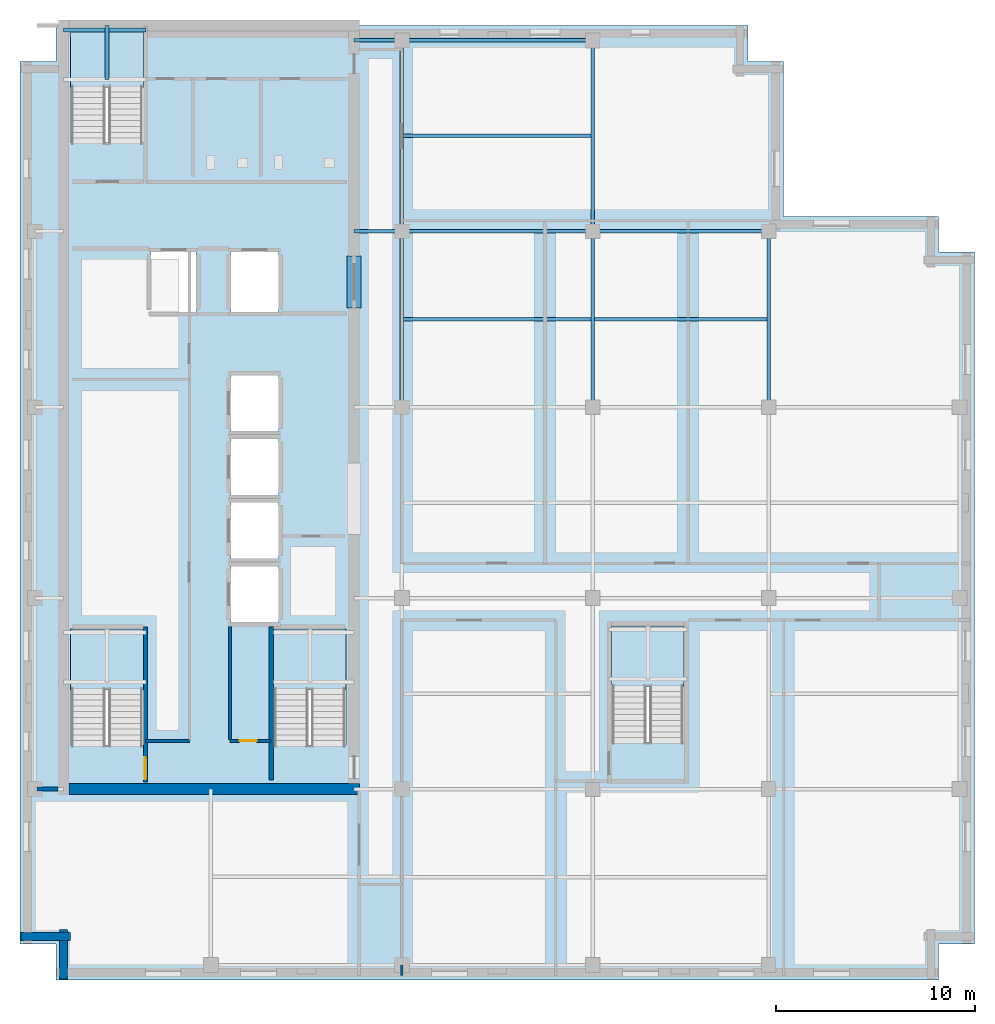
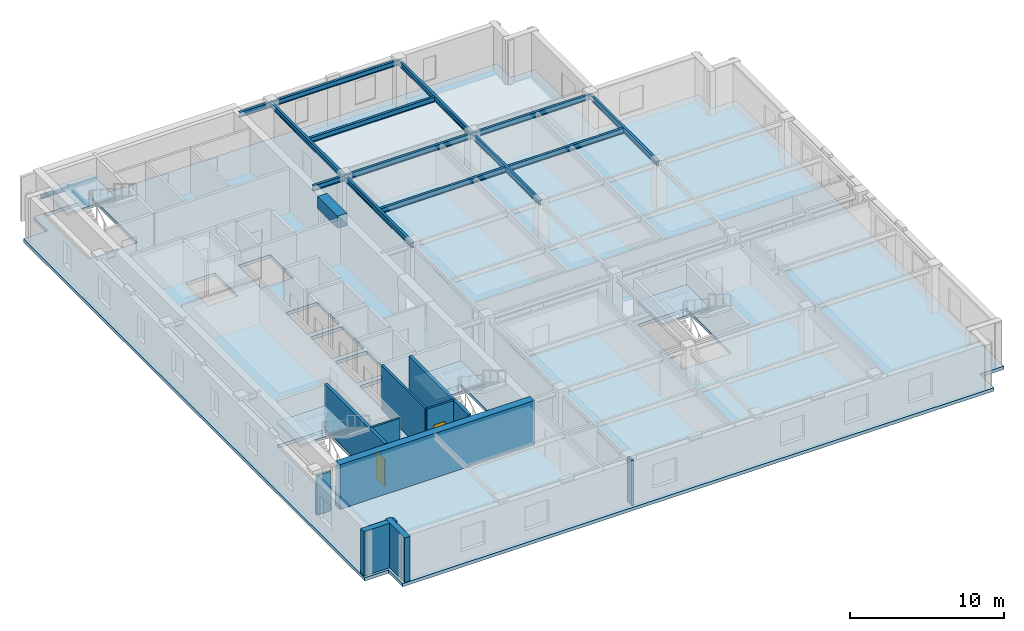
# One storey, part 2 of 10: 16 beams, 10 walls, 5 slabs, 2 doors, 2 openings, 4 elements without a shape of their own.
"""IFC4 building model written with IfcOpenShell, lengths in metres."""

from ifc_helpers import new_model, si_unit, direction, frame, frame_2d, origin, origin_2d, place, context, subcontext, project, spatial, polyline, rectangle, i_section, outline, extrude, material, layer, layer_set, material_profile, profile_set, type_object, element, fill, aggregate, save


model = new_model("IFC4")

# Units and contexts
model_context = context("Model", 3, precision=1e-05, world=origin(), true_north=direction((0.0, 1.0)))
body_context = subcontext(model_context, "Body", "Model", "MODEL_VIEW")
ifc_project = project(units=[si_unit("LENGTHUNIT", "METRE"), si_unit("AREAUNIT", "SQUARE_METRE"), si_unit("VOLUMEUNIT", "CUBIC_METRE"), si_unit("PLANEANGLEUNIT", "RADIAN"), si_unit("MASSUNIT", "GRAM", prefix="KILO")], contexts=[model_context])

# Site, building, storey
site_placement = place(None, origin())
site = spatial("IfcSite", under=ifc_project, at=site_placement, CompositionType="ELEMENT")
building_placement = place(site_placement, origin())
building = spatial("IfcBuilding", under=site, at=building_placement, Name="Norrvale University Quadrangle", CompositionType="ELEMENT")
storey_placement = place(building_placement, frame((0.0, 0.0, 269.60009765625)))
storey = spatial("IfcBuildingStorey", under=building, at=storey_placement, Name="L68", CompositionType="ELEMENT", Elevation=269.60009765625)

# Beams
ifc_material_1 = material(Name="Steel 350W", Category="steel")
ifc_material_profile_1 = material_profile(ifc_material_1, i_section(OverallWidth=0.180908203125, OverallDepth=0.4169921875, WebThickness=0.010986328125, FlangeThickness=0.018310546875, FilletRadius=0.011962890625, at=origin_2d()), Name="Steel 350W")
ifc_profile_set_1 = profile_set([ifc_material_profile_1], Name="Steel 350W")
beam_type_1 = type_object("IfcBeamType", Name="Beam Atrium W410x85", PredefinedType="BEAM", material=ifc_profile_set_1)
beam_1_placement = place(storey_placement, frame((19.199951171875, 37.64990234375, 3.331298828125), z_axis=(1.0, 0.0, 0.0), x_axis=(0.0, 1.0, 0.0)))
element("IfcBeam", 1, at=beam_1_placement, inside=storey, type_object=beam_type_1, Name="Beam Atrium W410x85 BM-L68-GX013", PredefinedType="BEAM", context=body_context, shape_type="SweptSolid", body=[
    extrude(i_section(OverallWidth=0.180908203125, OverallDepth=0.4169921875, WebThickness=0.010986328125, FlangeThickness=0.018310546875, FilletRadius=0.011962890625, at=origin_2d()), origin(), (0.0, 0.0, 1.0), 9.60009765625),
])
beam_2_placement = place(storey_placement, frame((28.800048828125, 37.64990234375, 3.331298828125), z_axis=(1.0, 0.0, 0.0), x_axis=(0.0, 1.0, 0.0)))
element("IfcBeam", 2, at=beam_2_placement, inside=storey, type_object=beam_type_1, Name="Beam Atrium W410x85 BM-L68-GX014", PredefinedType="BEAM", context=body_context, shape_type="SweptSolid", body=[
    extrude(i_section(OverallWidth=0.180908203125, OverallDepth=0.4169921875, WebThickness=0.010986328125, FlangeThickness=0.018310546875, FilletRadius=0.011962890625, at=origin_2d()), origin(), (0.0, 0.0, 1.0), 8.849853515625),
])
beam_3_placement = place(storey_placement, frame((19.199951171875, 47.25, 3.331298828125), z_axis=(1.0, 0.0, 0.0), x_axis=(0.0, 1.0, 0.0)))
element("IfcBeam", 3, at=beam_3_placement, inside=storey, type_object=beam_type_1, Name="Beam Atrium W410x85 BM-L68-GX015", PredefinedType="BEAM", context=body_context, shape_type="SweptSolid", body=[
    extrude(i_section(OverallWidth=0.180908203125, OverallDepth=0.4169921875, WebThickness=0.010986328125, FlangeThickness=0.018310546875, FilletRadius=0.011962890625, at=origin_2d()), origin(), (0.0, 0.0, 1.0), 9.60009765625),
])
beam_4_placement = place(storey_placement, frame((19.199951171875, 28.800048828125, 3.331298828125), z_axis=(0.0, 1.0, 0.0), x_axis=(-1.0, 0.0, 0.0)))
element("IfcBeam", 4, at=beam_4_placement, inside=storey, type_object=beam_type_1, Name="Beam Atrium W410x85 BM-L68-GY022", PredefinedType="BEAM", context=body_context, shape_type="SweptSolid", body=[
    extrude(i_section(OverallWidth=0.180908203125, OverallDepth=0.4169921875, WebThickness=0.010986328125, FlangeThickness=0.018310546875, FilletRadius=0.011962890625, at=origin_2d()), origin(), (0.0, 0.0, 1.0), 8.849853515625),
])
beam_5_placement = place(storey_placement, frame((19.199951171875, 37.64990234375, 3.331298828125), z_axis=(0.0, 1.0, 0.0), x_axis=(-1.0, 0.0, 0.0)))
element("IfcBeam", 5, at=beam_5_placement, inside=storey, type_object=beam_type_1, Name="Beam Atrium W410x85 BM-L68-GY023", PredefinedType="BEAM", context=body_context, shape_type="SweptSolid", body=[
    extrude(i_section(OverallWidth=0.180908203125, OverallDepth=0.4169921875, WebThickness=0.010986328125, FlangeThickness=0.018310546875, FilletRadius=0.011962890625, at=origin_2d()), origin(), (0.0, 0.0, 1.0), 9.60009765625),
])
beam_6_placement = place(storey_placement, frame((28.800048828125, 28.800048828125, 3.331298828125), z_axis=(0.0, 1.0, 0.0), x_axis=(-1.0, 0.0, 0.0)))
element("IfcBeam", 6, at=beam_6_placement, inside=storey, type_object=beam_type_1, Name="Beam Atrium W410x85 BM-L68-GY027", PredefinedType="BEAM", context=body_context, shape_type="SweptSolid", body=[
    extrude(i_section(OverallWidth=0.180908203125, OverallDepth=0.4169921875, WebThickness=0.010986328125, FlangeThickness=0.018310546875, FilletRadius=0.011962890625, at=origin_2d()), origin(), (0.0, 0.0, 1.0), 8.849853515625),
])
beam_7_placement = place(storey_placement, frame((28.800048828125, 37.64990234375, 3.331298828125), z_axis=(0.0, 1.0, 0.0), x_axis=(-1.0, 0.0, 0.0)))
element("IfcBeam", 7, at=beam_7_placement, inside=storey, type_object=beam_type_1, Name="Beam Atrium W410x85 BM-L68-GY028", PredefinedType="BEAM", context=body_context, shape_type="SweptSolid", body=[
    extrude(i_section(OverallWidth=0.180908203125, OverallDepth=0.4169921875, WebThickness=0.010986328125, FlangeThickness=0.018310546875, FilletRadius=0.011962890625, at=origin_2d()), origin(), (0.0, 0.0, 1.0), 9.60009765625),
])
beam_8_placement = place(storey_placement, frame((37.64990234375, 28.800048828125, 3.331298828125), z_axis=(0.0, 1.0, 0.0), x_axis=(-1.0, 0.0, 0.0)))
element("IfcBeam", 8, at=beam_8_placement, inside=storey, type_object=beam_type_1, Name="Beam Atrium W410x85 BM-L68-GY032", PredefinedType="BEAM", context=body_context, shape_type="SweptSolid", body=[
    extrude(i_section(OverallWidth=0.180908203125, OverallDepth=0.4169921875, WebThickness=0.010986328125, FlangeThickness=0.018310546875, FilletRadius=0.011962890625, at=origin_2d()), origin(), (0.0, 0.0, 1.0), 8.849853515625),
])
for number, where, z_axis, x_axis, name in (
    (9, (16.800048828125, 37.64990234375, 3.331298828125), (1.0, 0.0, 0.0), (0.0, 1.0, 0.0), "Beam Atrium W410x85 BM-L68-GCE042"),
    (10, (16.800048828125, 47.25, 3.331298828125), (1.0, 0.0, 0.0), (0.0, 1.0, 0.0), "Beam Atrium W410x85 BM-L68-GCE043"),
):
    element("IfcBeam", number, at=place(storey_placement, frame(where, z_axis=z_axis, x_axis=x_axis)), inside=storey, type_object=beam_type_1, Name=name, PredefinedType="BEAM", context=body_context, shape_type="SweptSolid", body=[
        extrude(i_section(OverallWidth=0.180908203125, OverallDepth=0.4169921875, WebThickness=0.010986328125, FlangeThickness=0.018310546875, FilletRadius=0.011962890625, at=origin_2d()), origin(), (0.0, 0.0, 1.0), 2.39990234375),
    ])
ifc_material_2 = material(Name="Concrete C80/95", Category="concrete")
ifc_material_profile_2 = material_profile(ifc_material_2, rectangle(XDim=0.699951171875, YDim=0.949951171875, at=origin_2d()), Name="Concrete C80/95")
ifc_profile_set_2 = profile_set([ifc_material_profile_2], Name="Concrete C80/95")
beam_type_2 = type_object("IfcBeamType", Name="Beam Core Link 700x950", PredefinedType="LINTEL", material=ifc_profile_set_2)
beam_9_placement = place(storey_placement, frame((16.800048828125, 33.800048828125, 3.06494140625), z_axis=(0.0, 1.0, 0.0), x_axis=(-1.0, 0.0, 0.0)))
element("IfcBeam", 11, at=beam_9_placement, inside=storey, type_object=beam_type_2, Name="Core Coupling Lintel Beam L68-2", PredefinedType="LINTEL", context=body_context, shape_type="SweptSolid", body=[
    extrude(rectangle(XDim=0.699951171875, YDim=0.949951171875, at=origin_2d()), origin(), (0.0, 0.0, 1.0), 2.599853515625),
])
ifc_material_profile_3 = material_profile(ifc_material_1, i_section(OverallWidth=0.177978515625, OverallDepth=0.406982421875, WebThickness=0.0078125, FlangeThickness=0.0126953125, FilletRadius=0.011962890625, at=origin_2d()), Name="Steel 350W")
ifc_profile_set_3 = profile_set([ifc_material_profile_3], Name="Steel 350W")
beam_type_3 = type_object("IfcBeamType", Name="Beam Roof Purlin W410x60", PredefinedType="USERDEFINED", material=ifc_profile_set_3)
for number, where, z_axis, x_axis, name in (
    (12, (19.29052734375, 33.22509765625, 3.33642578125), (1.0, 0.0, 0.0), (0.0, 1.0, 0.0), "Beam Roof Purlin W410x60 BM-L68-J047"),
    (13, (19.29052734375, 42.449951171875, 3.33642578125), (1.0, 0.0, 0.0), (0.0, 1.0, 0.0), "Beam Roof Purlin W410x60 BM-L68-J048"),
):
    element("IfcBeam", number, at=place(storey_placement, frame(where, z_axis=z_axis, x_axis=x_axis)), inside=storey, type_object=beam_type_3, Name=name, ObjectType="PURLIN", PredefinedType="USERDEFINED", context=body_context, shape_type="SweptSolid", body=[
        extrude(i_section(OverallWidth=0.177978515625, OverallDepth=0.406982421875, WebThickness=0.0078125, FlangeThickness=0.0126953125, FilletRadius=0.011962890625, at=origin_2d()), origin(), (0.0, 0.0, 1.0), 9.4189453125),
    ])
beam_10_placement = place(storey_placement, frame((28.890380859375, 33.22509765625, 3.33642578125), z_axis=(1.0, 0.0, 0.0), x_axis=(0.0, 1.0, 0.0)))
element("IfcBeam", 14, at=beam_10_placement, inside=storey, type_object=beam_type_3, Name="Beam Roof Purlin W410x60 BM-L68-J051", ObjectType="PURLIN", PredefinedType="USERDEFINED", context=body_context, shape_type="SweptSolid", body=[
    extrude(i_section(OverallWidth=0.177978515625, OverallDepth=0.406982421875, WebThickness=0.0078125, FlangeThickness=0.0126953125, FilletRadius=0.011962890625, at=origin_2d()), origin(), (0.0, 0.0, 1.0), 8.669189453125),
])
ifc_material_profile_4 = material_profile(ifc_material_1, i_section(OverallWidth=0.201904296875, OverallDepth=0.2470703125, WebThickness=0.00732421875, FlangeThickness=0.010986328125, FilletRadius=0.011962890625, at=origin_2d()), Name="Steel 350W")
ifc_profile_set_4 = profile_set([ifc_material_profile_4], Name="Steel 350W")
beam_type_4 = type_object("IfcBeamType", Name="Beam Stair W250x49", PredefinedType="BEAM", material=ifc_profile_set_4)
beam_11_placement = place(storey_placement, frame((2.199951171875, 47.77001953125, 1.576416015625), z_axis=(1.0, 0.0, 0.0), x_axis=(0.0, 1.0, 0.0)))
element("IfcBeam", 15, at=beam_11_placement, inside=storey, type_object=beam_type_4, Name="Stair Mid-Landing Rear Beam ST-02 L68", PredefinedType="BEAM", context=body_context, shape_type="SweptSolid", body=[
    extrude(i_section(OverallWidth=0.201904296875, OverallDepth=0.2470703125, WebThickness=0.00732421875, FlangeThickness=0.010986328125, FilletRadius=0.011962890625, at=origin_2d()), origin(), (0.0, 0.0, 1.0), 4.14013671875),
])
ifc_material_profile_5 = material_profile(ifc_material_1, i_section(OverallWidth=0.202880859375, OverallDepth=0.202880859375, WebThickness=0.007080078125, FlangeThickness=0.010986328125, FilletRadius=0.010009765625, at=origin_2d()), Name="Steel 350W")
ifc_profile_set_5 = profile_set([ifc_material_profile_5], Name="Steel 350W")
beam_type_5 = type_object("IfcBeamType", Name="Beam Trim W200x46", PredefinedType="BEAM", material=ifc_profile_set_5)
beam_12_placement = place(storey_placement, frame((4.375, 45.2900390625, 1.598388671875), z_axis=(0.0, 1.0, 0.0), x_axis=(-1.0, 0.0, 0.0)))
element("IfcBeam", 16, at=beam_12_placement, inside=storey, type_object=beam_type_5, Name="Stair Mid-Landing Cross Beam ST-02 L68", PredefinedType="BEAM", context=body_context, shape_type="SweptSolid", body=[
    extrude(i_section(OverallWidth=0.202880859375, OverallDepth=0.202880859375, WebThickness=0.007080078125, FlangeThickness=0.010986328125, FilletRadius=0.010009765625, at=origin_2d()), origin(), (0.0, 0.0, 1.0), 2.7099609375),
])

# Stair, slab
ifc_material_3 = material(Name="Concrete C40/50", Category="concrete")
stair_type = type_object("IfcStairType", Name="Stair Tower Typ 3800", PredefinedType="TWO_STRAIGHT_RUN_STAIR", material=ifc_material_3)
stair_1_placement = place(storey_placement, origin())
stair_1 = element("IfcStair", 17, at=stair_1_placement, inside=storey, type_object=stair_type, Name="Exit Stair ST-01 L68", PredefinedType="TWO_STRAIGHT_RUN_STAIR")
ifc_layer_1 = layer(ifc_material_3, 0.199951171875, Name="Concrete C40/50")
ifc_layer_set_1 = layer_set([ifc_layer_1], Name="Concrete C40/50")
slab_type_1 = type_object("IfcSlabType", Name="Slab Landing 200", PredefinedType="LANDING", material=ifc_layer_set_1)
slab_1_placement = place(storey_placement, frame((0.0, 0.0, 1.699951171875)))
slab_1 = element("IfcSlab", 18, at=slab_1_placement, type_object=slab_type_1, Name="Exit Stair ST-01 L68 Mid Landing", PredefinedType="LANDING", context=body_context, shape_type="SweptSolid", body=[
    extrude(outline(polyline([(2.550048828125, 14.590087890625), (6.199951171875, 14.590087890625), (6.199951171875, 17.64990234375), (2.550048828125, 17.64990234375), (2.550048828125, 14.590087890625)])), origin(), (0.0, 0.0, 1.0), 0.199951171875),
])
aggregate(stair_1, [slab_1])

stair_2_placement = place(storey_placement, origin())
stair_2 = element("IfcStair", 19, at=stair_2_placement, inside=storey, type_object=stair_type, Name="Exit Stair ST-02 L68", PredefinedType="TWO_STRAIGHT_RUN_STAIR")
slab_2_placement = place(storey_placement, frame((0.0, 0.0, 1.699951171875)))
slab_2 = element("IfcSlab", 20, at=slab_2_placement, type_object=slab_type_1, Name="Exit Stair ST-02 L68 Mid Landing", PredefinedType="LANDING", context=body_context, shape_type="SweptSolid", body=[
    extrude(outline(polyline([(2.550048828125, 44.889892578125), (6.199951171875, 44.889892578125), (6.199951171875, 47.949951171875), (2.550048828125, 47.949951171875), (2.550048828125, 44.889892578125)])), origin(), (0.0, 0.0, 1.0), 0.199951171875),
])
aggregate(stair_2, [slab_2])

stair_3_placement = place(storey_placement, origin())
stair_3 = element("IfcStair", 21, at=stair_3_placement, inside=storey, type_object=stair_type, Name="Exit Stair ST-03 L68", PredefinedType="TWO_STRAIGHT_RUN_STAIR")
slab_3_placement = place(storey_placement, frame((0.0, 0.0, 1.699951171875)))
slab_3 = element("IfcSlab", 22, at=slab_3_placement, type_object=slab_type_1, Name="Exit Stair ST-03 L68 Mid Landing", PredefinedType="LANDING", context=body_context, shape_type="SweptSolid", body=[
    extrude(outline(polyline([(12.75, 14.590087890625), (16.39990234375, 14.590087890625), (16.39990234375, 17.64990234375), (12.75, 17.64990234375), (12.75, 14.590087890625)])), origin(), (0.0, 0.0, 1.0), 0.199951171875),
])
aggregate(stair_3, [slab_3])

stair_4_placement = place(storey_placement, origin())
stair_4 = element("IfcStair", 23, at=stair_4_placement, inside=storey, type_object=stair_type, Name="Exit Stair ST-04 L68", PredefinedType="TWO_STRAIGHT_RUN_STAIR")
slab_4_placement = place(storey_placement, frame((0.0, 0.0, 1.699951171875)))
slab_4 = element("IfcSlab", 24, at=slab_4_placement, type_object=slab_type_1, Name="Exit Stair ST-04 L68 Mid Landing", PredefinedType="LANDING", context=body_context, shape_type="SweptSolid", body=[
    extrude(outline(polyline([(29.75, 14.739990234375), (33.39990234375, 14.739990234375), (33.39990234375, 17.800048828125), (29.75, 17.800048828125), (29.75, 14.739990234375)])), origin(), (0.0, 0.0, 1.0), 0.199951171875),
])
aggregate(stair_4, [slab_4])

# Slab
ifc_layer_2 = layer(ifc_material_3, 0.260009765625, Name="Concrete C40/50")
ifc_layer_set_2 = layer_set([ifc_layer_2], Name="Concrete C40/50")
slab_type_2 = type_object("IfcSlabType", Name="Slab Tower Typ 260", PredefinedType="FLOOR", material=ifc_layer_set_2)
slab_5_placement = place(storey_placement, frame((0.0, 0.0, -0.260009765625)))
element("IfcSlab", 25, at=slab_5_placement, inside=storey, type_object=slab_type_2, Name="Tower L68 Floor Slab", PredefinedType="FLOOR", context=body_context, shape_type="SweptSolid", body=[
    extrude(outline(polyline([(1.800048828125, 0.0), (46.199951171875, 0.0), (46.199951171875, 1.800048828125), (48.0, 1.800048828125), (48.0, 36.60009765625), (46.199951171875, 36.60009765625), (46.199951171875, 38.39990234375), (38.39990234375, 38.39990234375), (38.39990234375, 46.199951171875), (36.60009765625, 46.199951171875), (36.60009765625, 48.0), (1.800048828125, 48.0), (1.800048828125, 46.199951171875), (0.0, 46.199951171875), (0.0, 1.800048828125), (1.800048828125, 1.800048828125), (1.800048828125, 0.0)]), holes=[polyline([(2.550048828125, 11.81005859375), (6.199951171875, 11.81005859375), (6.199951171875, 17.64990234375), (2.550048828125, 17.64990234375), (2.550048828125, 11.81005859375)]), polyline([(2.550048828125, 42.110107421875), (6.199951171875, 42.110107421875), (6.199951171875, 47.949951171875), (2.550048828125, 47.949951171875), (2.550048828125, 42.110107421875)]), polyline([(12.75, 11.81005859375), (16.39990234375, 11.81005859375), (16.39990234375, 17.64990234375), (12.75, 17.64990234375), (12.75, 11.81005859375)]), polyline([(29.75, 11.9599609375), (33.39990234375, 11.9599609375), (33.39990234375, 17.800048828125), (29.75, 17.800048828125), (29.75, 11.9599609375)]), polyline([(10.60009765625, 18.0), (13.0, 18.0), (13.0, 20.800048828125), (10.60009765625, 20.800048828125), (10.60009765625, 18.0)]), polyline([(10.60009765625, 21.199951171875), (13.0, 21.199951171875), (13.0, 24.0), (10.60009765625, 24.0), (10.60009765625, 21.199951171875)]), polyline([(10.60009765625, 24.39990234375), (13.0, 24.39990234375), (13.0, 27.199951171875), (10.60009765625, 27.199951171875), (10.60009765625, 24.39990234375)]), polyline([(10.60009765625, 27.60009765625), (13.0, 27.60009765625), (13.0, 30.39990234375), (10.60009765625, 30.39990234375), (10.60009765625, 27.60009765625)]), polyline([(6.60009765625, 33.60009765625), (8.85009765625, 33.60009765625), (8.85009765625, 36.60009765625), (6.60009765625, 36.60009765625), (6.60009765625, 33.60009765625)]), polyline([(10.60009765625, 33.60009765625), (13.0, 33.60009765625), (13.0, 36.60009765625), (10.60009765625, 36.60009765625), (10.60009765625, 33.60009765625)])]), origin(), (0.0, 0.0, 1.0), 0.260009765625),
])

# Walls
ifc_material_4 = material(Name="Buff Norman Clay Brick Masonry", Category="masonry")
ifc_layer_3 = layer(ifc_material_4, 0.419921875, Name="Buff Norman Clay Brick Masonry")
ifc_layer_set_3 = layer_set([ifc_layer_3], Name="Buff Norman Clay Brick Masonry")
wall_type_1 = type_object("IfcWallType", Name="Wall Buff Brick 420", PredefinedType="SOLIDWALL", material=ifc_layer_set_3)
for number, where, z_axis, x_axis, name in (
    (26, (0.0400390625, 2.18994140625, 0.0), (0.0, 0.0, 1.0), (1.0, 0.0, 0.0), "Exterior Brick Facade Wall L68-15.1"),
    (27, (2.18994140625, 2.5400390625, 0.0), (0.0, 0.0, 1.0), (0.0, -1.0, 0.0), "Exterior Brick Facade Wall L68-16.1"),
):
    element("IfcWall", number, at=place(storey_placement, frame(where, z_axis=z_axis, x_axis=x_axis)), inside=storey, type_object=wall_type_1, Name=name, PredefinedType="SOLIDWALL", context=body_context, shape_type="SweptSolid", body=[
        extrude(rectangle(XDim=2.5, YDim=0.419921875, at=frame_2d((1.25, 0.0))), origin(), (0.0, 0.0, 1.0), 3.539794921875),
    ])
ifc_material_5 = material(Name="Concrete C60/75", Category="concrete")
ifc_layer_4 = layer(ifc_material_5, 0.550048828125, Name="Concrete C60/75")
ifc_layer_set_4 = layer_set([ifc_layer_4], Name="Concrete C60/75")
wall_type_2 = type_object("IfcWallType", Name="Wall Core 550", PredefinedType="SHEAR", material=ifc_layer_set_4)
wall_1_placement = place(storey_placement, frame((2.47509765625, 9.60009765625, 0.0), z_axis=(0.0, 0.0, 1.0), x_axis=(1.0, 0.0, 0.0)))
element("IfcWall", 28, at=wall_1_placement, inside=storey, type_object=wall_type_2, Name="Tower Core Shear Wall L68-S", PredefinedType="SHEAR", context=body_context, shape_type="SweptSolid", body=[
    extrude(rectangle(XDim=14.599853515625, YDim=0.550048828125, at=frame_2d((7.2998046875, 0.0))), origin(), (0.0, 0.0, 1.0), 3.539794921875),
])
ifc_material_6 = material(Name="Standard Academic Gypsum Partition")
ifc_layer_5 = layer(ifc_material_6, 0.125, Name="Standard Academic Gypsum Partition")
ifc_layer_set_5 = layer_set([ifc_layer_5], Name="Standard Academic Gypsum Partition")
wall_type_3 = type_object("IfcWallType", Name="Wall Gypsum Academic 125", PredefinedType="PARTITIONING", material=ifc_layer_set_5)
wall_2_placement = place(storey_placement, frame((19.199951171875, 0.219970703125, 0.0), z_axis=(0.0, 0.0, 1.0), x_axis=(0.0, 1.0, 0.0)))
element("IfcWall", 29, at=wall_2_placement, inside=storey, type_object=wall_type_3, Name="Interior Partition WL-L68-SE-W0", PredefinedType="PARTITIONING", context=body_context, shape_type="SweptSolid", body=[
    extrude(rectangle(XDim=0.530029296875, YDim=0.125, at=frame_2d((0.26513671875, 0.0))), origin(), (0.0, 0.0, 1.0), 3.539794921875),
])

# Wall, opening, door
ifc_material_7 = material(Name="Fire-Rated Gypsum Stud Partition")
ifc_layer_6 = layer(ifc_material_7, 0.14990234375, Name="Fire-Rated Gypsum Stud Partition")
ifc_layer_set_6 = layer_set([ifc_layer_6], Name="Fire-Rated Gypsum Stud Partition")
wall_type_4 = type_object("IfcWallType", Name="Wall Gypsum Corridor 150", PredefinedType="PARTITIONING", material=ifc_layer_set_6)
wall_3_placement = place(storey_placement, frame((10.550048828125, 12.02001953125, 0.0), z_axis=(0.0, 0.0, 1.0), x_axis=(1.0, 0.0, 0.0)))
wall_3 = element("IfcWall", 30, at=wall_3_placement, inside=storey, type_object=wall_type_4, Name="Interior Partition WL-L68-SC-NR", PredefinedType="PARTITIONING", context=body_context, shape_type="SweptSolid", body=[
    extrude(rectangle(XDim=2.079833984375, YDim=0.14990234375, at=frame_2d((1.0400390625, 0.0))), origin(), (0.0, 0.0, 1.0), 3.539794921875),
])
opening_1_placement = place(wall_3_placement, frame((0.5, 0.0, 0.0)))
opening_1 = element("IfcOpeningElement", 31, at=opening_1_placement, cuts=wall_3, Name="Opening D10", PredefinedType="OPENING", context=body_context, shape_type="SweptSolid", body=[
    extrude(rectangle(XDim=0.85009765625, YDim=2.10009765625, at=frame_2d((0.425048828125, 1.050048828125))), frame((0.0, 0.0869140625, 0.0), z_axis=(0.0, -1.0, 0.0), x_axis=(1.0, 0.0, 0.0)), (0.0, 0.0, 1.0), 0.173828125),
])
ifc_material_8 = material(Name="Hollow Steel 350W Riser Fire Door", Category="steel")
door_type_1 = type_object("IfcDoorType", Name="Door Riser 850x2100", OperationType="NOTDEFINED", PredefinedType="DOOR", material=ifc_material_8)
door_1_placement = place(opening_1_placement, origin())
door_1 = element("IfcDoor", 32, at=door_1_placement, inside=storey, type_object=door_type_1, Name="Door Riser 850x2100 DR-L68-IDF", OperationType="SINGLE_SWING_RIGHT", OverallHeight=2.10009765625, OverallWidth=0.85009765625, PredefinedType="DOOR", context=body_context, shape_type="SweptSolid", body=[
    extrude(rectangle(XDim=0.85009765625, YDim=2.10009765625, at=frame_2d((0.425048828125, 1.050048828125))), frame((0.0, 0.02490234375, 0.0), z_axis=(0.0, -1.0, 0.0), x_axis=(1.0, 0.0, 0.0)), (0.0, 0.0, 1.0), 0.050048828125),
])
fill(opening_1, door_1)

# Walls
wall_4_placement = place(storey_placement, frame((10.550048828125, 12.094970703125, 0.0), z_axis=(0.0, 0.0, 1.0), x_axis=(0.0, 1.0, 0.0)))
element("IfcWall", 33, at=wall_4_placement, inside=storey, type_object=wall_type_4, Name="Interior Partition WL-L68-SC-WR", PredefinedType="PARTITIONING", context=body_context, shape_type="SweptSolid", body=[
    extrude(rectangle(XDim=5.679931640625, YDim=0.14990234375, at=frame_2d((2.83984375, 0.0))), origin(), (0.0, 0.0, 1.0), 3.539794921875),
])
wall_5_placement = place(storey_placement, frame((6.320068359375, 12.02001953125, 0.0), z_axis=(0.0, 0.0, 1.0), x_axis=(1.0, 0.0, 0.0)))
element("IfcWall", 34, at=wall_5_placement, inside=storey, type_object=wall_type_4, Name="Interior Partition WL-L68-REC-S", PredefinedType="PARTITIONING", context=body_context, shape_type="SweptSolid", body=[
    extrude(rectangle(XDim=2.199951171875, YDim=0.14990234375, at=frame_2d((1.10009765625, 0.0))), origin(), (0.0, 0.0, 1.0), 3.539794921875),
])
ifc_material_9 = material(Name="Concrete Blockwork 20 MPa Rated Wall", Category="masonry")
ifc_layer_7 = layer(ifc_material_9, 0.199951171875, Name="Concrete Blockwork 20 MPa Rated Wall")
ifc_layer_set_7 = layer_set([ifc_layer_7], Name="Concrete Blockwork 20 MPa Rated Wall")
wall_type_5 = type_object("IfcWallType", Name="Wall Lobby 200", PredefinedType="SOLIDWALL", material=ifc_layer_set_7)
wall_6_placement = place(storey_placement, frame((0.85009765625, 9.60009765625, 0.0), z_axis=(0.0, 0.0, 1.0), x_axis=(1.0, 0.0, 0.0)))
element("IfcWall", 35, at=wall_6_placement, inside=storey, type_object=wall_type_5, Name="Interior Partition WL-L68-CWRET-S", PredefinedType="SOLIDWALL", context=body_context, shape_type="SweptSolid", body=[
    extrude(rectangle(XDim=1.06982421875, YDim=0.199951171875, at=frame_2d((0.534912109375, 0.0))), origin(), (0.0, 0.0, 1.0), 3.122802734375),
])

# Wall, opening, door
ifc_material_10 = material(Name="Concrete Blockwork 20 MPa Fire Shaft", Category="masonry")
ifc_layer_8 = layer(ifc_material_10, 0.219970703125, Name="Concrete Blockwork 20 MPa Fire Shaft")
ifc_layer_set_8 = layer_set([ifc_layer_8], Name="Concrete Blockwork 20 MPa Fire Shaft")
wall_type_6 = type_object("IfcWallType", Name="Wall Shaft 220", PredefinedType="SOLIDWALL", material=ifc_layer_set_8)
wall_7_placement = place(storey_placement, frame((6.31005859375, 9.949951171875, 0.0), z_axis=(0.0, 0.0, 1.0), x_axis=(0.0, 1.0, 0.0)))
wall_7 = element("IfcWall", 36, at=wall_7_placement, inside=storey, type_object=wall_type_6, Name="Stair ST-01 East Shaft Wall L68", PredefinedType="SOLIDWALL", context=body_context, shape_type="SweptSolid", body=[
    extrude(rectangle(XDim=7.81005859375, YDim=0.219970703125, at=frame_2d((3.905029296875, 0.0))), origin(), (0.0, 0.0, 1.0), 3.539794921875),
])
opening_2_placement = place(wall_7_placement, frame((0.139892578125, 0.0, 0.0)))
opening_2 = element("IfcOpeningElement", 37, at=opening_2_placement, cuts=wall_7, Name="Opening D02", PredefinedType="OPENING", context=body_context, shape_type="SweptSolid", body=[
    extrude(rectangle(XDim=1.10009765625, YDim=2.199951171875, at=frame_2d((0.550048828125, 1.10009765625))), frame((0.0, 0.1220703125, 0.0), z_axis=(0.0, -1.0, 0.0), x_axis=(1.0, 0.0, 0.0)), (0.0, 0.0, 1.0), 0.243896484375),
])
ifc_material_11 = material(Name="Hollow Steel 350W Fire Door", Category="steel")
door_type_2 = type_object("IfcDoorType", Name="Door Stair Exit 1100x2200", OperationType="NOTDEFINED", PredefinedType="DOOR", material=ifc_material_11)
door_2_placement = place(opening_2_placement, origin())
door_2 = element("IfcDoor", 38, at=door_2_placement, inside=storey, type_object=door_type_2, Name="Door Stair Exit 1100x2200 DR-L68-ST01", OperationType="SINGLE_SWING_LEFT", OverallHeight=2.199951171875, OverallWidth=1.10009765625, PredefinedType="DOOR", context=body_context, shape_type="SweptSolid", body=[
    extrude(rectangle(XDim=1.10009765625, YDim=2.199951171875, at=frame_2d((0.550048828125, 1.10009765625))), frame((0.0, 0.02490234375, 0.0), z_axis=(0.0, -1.0, 0.0), x_axis=(1.0, 0.0, 0.0)), (0.0, 0.0, 1.0), 0.050048828125),
])
fill(opening_2, door_2)

# Wall
wall_8_placement = place(storey_placement, frame((12.639892578125, 10.050048828125, 0.0), z_axis=(0.0, 0.0, 1.0), x_axis=(0.0, 1.0, 0.0)))
element("IfcWall", 39, at=wall_8_placement, inside=storey, type_object=wall_type_6, Name="Stair ST-03 West Shaft Wall L68", PredefinedType="SOLIDWALL", context=body_context, shape_type="SweptSolid", body=[
    extrude(rectangle(XDim=7.7099609375, YDim=0.219970703125, at=frame_2d((3.85498046875, 0.0))), origin(), (0.0, 0.0, 1.0), 3.539794921875),
])

save(model, "model.ifc")
